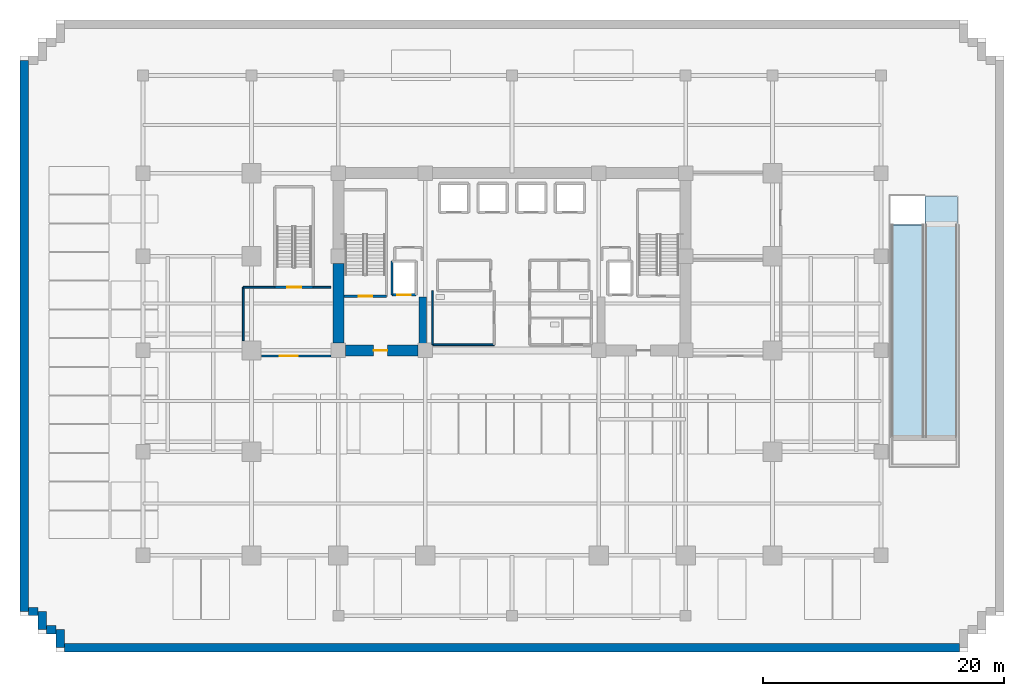
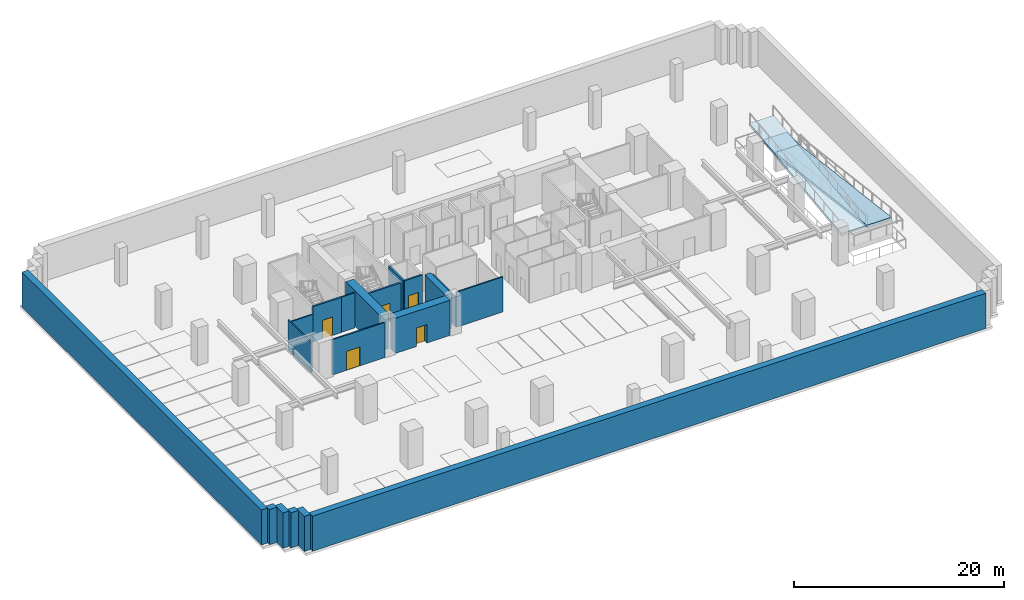
# One storey, part 3 of 14: 19 walls, 5 doors, 3 slabs, 5 openings.
"""IFC4 building model written with IfcOpenShell, lengths in metres."""

from ifc_helpers import new_model, si_unit, direction, frame, frame_2d, origin, place, context, subcontext, project, spatial, polyline, rectangle, outline, extrude, source, transform, mapped, material, layer, layer_set, type_object, element, fill, save


model = new_model("IFC4")

# Units and contexts
model_context = context("Model", 3, precision=1e-05, world=origin(), true_north=direction((0.0, 1.0)))
body_context = subcontext(model_context, "Body", "Model", "MODEL_VIEW")
ifc_project = project(units=[si_unit("LENGTHUNIT", "METRE"), si_unit("AREAUNIT", "SQUARE_METRE"), si_unit("VOLUMEUNIT", "CUBIC_METRE"), si_unit("PLANEANGLEUNIT", "RADIAN"), si_unit("MASSUNIT", "GRAM", prefix="KILO")], contexts=[model_context])

# Site, building, storey
site_placement = place(None, origin())
site = spatial("IfcSite", under=ifc_project, at=site_placement, CompositionType="ELEMENT")
building_placement = place(site_placement, origin())
building = spatial("IfcBuilding", under=site, at=building_placement, Name="Zarnakvel Exchange Tower", CompositionType="ELEMENT")
storey_placement = place(building_placement, frame((0.0, 0.0, -4.39990234375)))
storey = spatial("IfcBuildingStorey", under=building, at=storey_placement, Name="B01", CompositionType="ELEMENT", Elevation=-4.39990234375)

# Slabs
ifc_material_1 = material(Name="Concrete C40/50", Category="concrete")
ifc_layer_1 = layer(ifc_material_1, 0.199951171875)
ifc_layer_set_1 = layer_set([ifc_layer_1], Name="Concrete C40/50")
slab_type_1 = type_object("IfcSlabType", Name="LDG-01", PredefinedType="LANDING", material=ifc_layer_set_1)
slab_1_placement = place(storey_placement, frame((0.0, 0.0, -0.2001953125)))
element("IfcSlab", 1, at=slab_1_placement, inside=storey, type_object=slab_type_1, Name="B01 Car Park Vehicular Ramp R-01 Entry Landing", PredefinedType="LANDING", context=body_context, shape_type="SweptSolid", body=[
    extrude(outline(polyline([(34.25, 9.199951171875), (36.949951171875, 9.199951171875), (36.949951171875, 11.580078125), (34.25, 11.580078125), (34.25, 9.199951171875)])), origin(), (0.0, 0.0, 1.0), 0.2001953125),
])
ifc_layer_2 = layer(ifc_material_1, 0.300048828125)
ifc_layer_set_2 = layer_set([ifc_layer_2], Name="Concrete C40/50")
slab_type_2 = type_object("IfcSlabType", Name="RSL-01", PredefinedType="BASESLAB", material=ifc_layer_set_2)
slab_2_placement = place(storey_placement, frame((34.25, 9.199951171875, 0.0), z_axis=(0.0, 0.124033040481, 0.992278088476), x_axis=(1.0, 0.0, 0.0)))
element("IfcSlab", 2, at=slab_2_placement, inside=storey, type_object=slab_type_2, Name="B01 Car Park Vehicular Ramp R-01 Slab 1", PredefinedType="BASESLAB", context=body_context, shape_type="SweptSolid", body=[
    extrude(outline(polyline([(0.0, 0.0), (2.699951171875, 0.0), (2.699951171875, -17.73681640625), (0.0, -17.73681640625), (0.0, 0.0)])), origin(), (0.0, 0.0, -1.0), 0.300048828125),
])
slab_3_placement = place(storey_placement, frame((31.449951171875, -8.39990234375, 2.199951171875), z_axis=(0.0, -0.124033040481, 0.992278088476), x_axis=(1.0, 0.0, 0.0)))
element("IfcSlab", 3, at=slab_3_placement, inside=storey, type_object=slab_type_2, Name="B01 Car Park Vehicular Ramp R-01 Grade Arrival Slab", PredefinedType="BASESLAB", context=body_context, shape_type="SweptSolid", body=[
    extrude(outline(polyline([(0.0, 0.0), (2.699951171875, 0.0), (2.699951171875, 17.73681640625), (0.0, 17.73681640625), (0.0, 0.0)])), origin(), (0.0, 0.0, -1.0), 0.300048828125),
])

# Wall
ifc_material_2 = material(Name="Concrete C80/95", Category="concrete")
ifc_layer_3 = layer(ifc_material_2, 0.89990234375)
ifc_layer_set_3 = layer_set([ifc_layer_3], Name="Concrete C80/95")
wall_type_1 = type_object("IfcWallType", Name="CW-C1", PredefinedType="SHEAR", material=ifc_layer_set_3)
wall_1_placement = place(storey_placement, frame((-14.39990234375, -0.60009765625, 0.0), z_axis=(0.0, 0.0, 1.0), x_axis=(0.0, 1.0, 0.0)))
element("IfcWall", 4, at=wall_1_placement, inside=storey, type_object=wall_type_1, Name="B01 Rear Core Shear Wall W1 (CW-C1)", PredefinedType="SHEAR", context=body_context, shape_type="SweptSolid", body=[
    extrude(rectangle(XDim=6.60009765625, YDim=0.89990234375, at=frame_2d((3.300048828125, 0.0))), origin(), (0.0, 0.0, 1.0), 4.099853515625),
])

# Wall, opening, door
wall_2_placement = place(storey_placement, frame((-7.800048828125, -1.199951171875, 0.0), z_axis=(0.0, 0.0, 1.0), x_axis=(-1.0, 0.0, 0.0)))
wall_2 = element("IfcWall", 5, at=wall_2_placement, inside=storey, type_object=wall_type_1, Name="B01 Rear Core Shear Wall SW (CW-C1)", PredefinedType="SHEAR", context=body_context, shape_type="SweptSolid", body=[
    extrude(rectangle(XDim=6.0, YDim=0.89990234375, at=frame_2d((3.0, 0.0))), origin(), (0.0, 0.0, 1.0), 4.099853515625),
])
opening_1_placement = place(wall_2_placement, frame((2.52490234375, 0.0, 0.0)))
opening_1 = element("IfcOpeningElement", 6, at=opening_1_placement, cuts=wall_2, Name="Opening D-B01-03", PredefinedType="OPENING", context=body_context, shape_type="SweptSolid", body=[
    extrude(rectangle(XDim=1.14990234375, YDim=2.14990234375, at=frame_2d((0.574951171875, 1.074951171875))), frame((0.0, 0.4599609375, 0.0), z_axis=(0.0, -1.0, 0.0), x_axis=(1.0, 0.0, 0.0)), (0.0, 0.0, 1.0), 0.919921875),
])
ifc_material_3 = material(Name="Painted Galvanised Steel S355", Category="steel")
door_type_1 = type_object("IfcDoorType", Name="DT-04", OperationType="NOTDEFINED", PredefinedType="DOOR", material=ifc_material_3)
shared_shape_1 = source(origin(), body_context, "Body", "SweptSolid", [
    extrude(rectangle(XDim=1.14990234375, YDim=2.14990234375, at=frame_2d((0.574951171875, 1.074951171875))), frame((0.0, 0.02490234375, 0.0), z_axis=(0.0, -1.0, 0.0), x_axis=(1.0, 0.0, 0.0)), (0.0, 0.0, 1.0), 0.050048828125),
])
door_1_placement = place(opening_1_placement, origin())
door_1 = element("IfcDoor", 7, at=door_1_placement, inside=storey, type_object=door_type_1, Name="B01 Firefighting Lobby West Door D-B01-03", OperationType="SINGLE_SWING_RIGHT", OverallHeight=2.14990234375, OverallWidth=1.14990234375, PredefinedType="DOOR", context=body_context, shape_type="MappedRepresentation", body=[
    mapped(shared_shape_1, transform((0.0, 0.0, 0.0), x_axis=(1.0, 0.0, 0.0), y_axis=(0.0, 1.0, 0.0), z_axis=(0.0, 0.0, 1.0), scale=1.0)),
])
fill(opening_1, door_1)

# Wall
ifc_layer_4 = layer(ifc_material_2, 0.64990234375)
ifc_layer_set_4 = layer_set([ifc_layer_4], Name="Concrete C80/95")
wall_type_2 = type_object("IfcWallType", Name="CW-C2", PredefinedType="SHEAR", material=ifc_layer_set_4)
wall_3_placement = place(storey_placement, frame((-7.39990234375, -0.75, 0.0), z_axis=(0.0, 0.0, 1.0), x_axis=(0.0, 1.0, 0.0)))
element("IfcWall", 8, at=wall_3_placement, inside=storey, type_object=wall_type_2, Name="B01 Rear Core Shear Wall IW (CW-C2)", PredefinedType="SHEAR", context=body_context, shape_type="SweptSolid", body=[
    extrude(rectangle(XDim=4.0, YDim=0.64990234375, at=frame_2d((2.0, 0.0))), origin(), (0.0, 0.0, 1.0), 4.099853515625),
])

# Wall, opening, door
ifc_material_4 = material(Name="Fire-Rated Gypsum Stud Partition", Category="gypsum")
ifc_layer_5 = layer(ifc_material_4, 0.14990234375)
ifc_layer_set_5 = layer_set([ifc_layer_5], Name="Fire-Rated Gypsum Stud Partition")
wall_type_3 = type_object("IfcWallType", Name="PT-01", PredefinedType="PARTITIONING", material=ifc_layer_set_5)
wall_4_placement = place(storey_placement, frame((-15.02001953125, -1.669921875, 0.0), z_axis=(0.0, 0.0, 1.0), x_axis=(-1.0, 0.0, 0.0)))
wall_4 = element("IfcWall", 9, at=wall_4_placement, inside=storey, type_object=wall_type_3, Name="B01 Partition Wall PWALL-B01-039 (PT-01)", PredefinedType="PARTITIONING", context=body_context, shape_type="SweptSolid", body=[
    extrude(rectangle(XDim=5.760009765625, YDim=0.14990234375, at=frame_2d((2.8798828125, 0.0))), origin(), (0.0, 0.0, 1.0), 4.099853515625),
])
opening_2_placement = place(wall_4_placement, frame((2.72998046875, 0.0, 0.0)))
opening_2 = element("IfcOpeningElement", 10, at=opening_2_placement, cuts=wall_4, Name="Opening D-B01-13", PredefinedType="OPENING", context=body_context, shape_type="SweptSolid", body=[
    extrude(rectangle(XDim=1.5, YDim=2.199951171875, at=frame_2d((0.75, 1.10009765625))), frame((0.0, 0.0849609375, 0.0), z_axis=(0.0, -1.0, 0.0), x_axis=(1.0, 0.0, 0.0)), (0.0, 0.0, 1.0), 0.169921875),
])
ifc_material_5 = material(Name="Timber Acoustic Veneer", Category="wood")
door_type_2 = type_object("IfcDoorType", Name="DT-03", OperationType="NOTDEFINED", PredefinedType="DOOR", material=ifc_material_5)
shared_shape_2 = source(origin(), body_context, "Body", "SweptSolid", [
    extrude(rectangle(XDim=1.5, YDim=2.199951171875, at=frame_2d((0.75, 1.10009765625))), frame((0.0, 0.02490234375, 0.0), z_axis=(0.0, -1.0, 0.0), x_axis=(1.0, 0.0, 0.0)), (0.0, 0.0, 1.0), 0.050048828125),
])
door_2_placement = place(opening_2_placement, origin())
door_2 = element("IfcDoor", 11, at=door_2_placement, inside=storey, type_object=door_type_2, Name="B01 Service Loading Bay Door D-B01-13", OperationType="DOUBLE_DOOR_SINGLE_SWING", OverallHeight=2.199951171875, OverallWidth=1.5, PredefinedType="DOOR", context=body_context, shape_type="MappedRepresentation", body=[
    mapped(shared_shape_2, transform((0.0, 0.0, 0.0), x_axis=(1.0, 0.0, 0.0), y_axis=(0.0, 1.0, 0.0), z_axis=(0.0, 0.0, 1.0), scale=1.0)),
])
fill(opening_2, door_2)

# Walls
wall_5_placement = place(storey_placement, frame((-22.280029296875, 4.030029296875, 0.0), z_axis=(0.0, 0.0, 1.0), x_axis=(1.0, 0.0, 0.0)))
element("IfcWall", 12, at=wall_5_placement, inside=storey, type_object=wall_type_3, Name="B01 Partition Wall PWALL-B01-040 (PT-01)", PredefinedType="PARTITIONING", context=body_context, shape_type="SweptSolid", body=[
    extrude(rectangle(XDim=2.6201171875, YDim=0.14990234375, at=frame_2d((1.31005859375, 0.0))), origin(), (0.0, 0.0, 1.0), 3.18994140625),
])
wall_6_placement = place(storey_placement, frame((-16.489990234375, 4.030029296875, 0.0), z_axis=(0.0, 0.0, 1.0), x_axis=(1.0, 0.0, 0.0)))
element("IfcWall", 13, at=wall_6_placement, inside=storey, type_object=wall_type_3, Name="B01 Partition Wall PWALL-B01-041 (PT-01)", PredefinedType="PARTITIONING", context=body_context, shape_type="SweptSolid", body=[
    extrude(rectangle(XDim=1.469970703125, YDim=0.14990234375, at=frame_2d((0.73486328125, 0.0))), origin(), (0.0, 0.0, 1.0), 4.099853515625),
])
wall_7_placement = place(storey_placement, frame((-22.280029296875, -0.3798828125, 0.0), z_axis=(0.0, 0.0, 1.0), x_axis=(0.0, 1.0, 0.0)))
element("IfcWall", 14, at=wall_7_placement, inside=storey, type_object=wall_type_3, Name="B01 Partition Wall PWALL-B01-042 (PT-01)", PredefinedType="PARTITIONING", context=body_context, shape_type="SweptSolid", body=[
    extrude(rectangle(XDim=4.409912109375, YDim=0.14990234375, at=frame_2d((2.205078125, 0.0))), origin(), (0.0, 0.0, 1.0), 3.47265625),
])
ifc_material_6 = material(Name="Moisture-Resistant Tile-Faced Partition", Category="gypsum")
ifc_layer_6 = layer(ifc_material_6, 0.135009765625)
ifc_layer_set_6 = layer_set([ifc_layer_6], Name="Moisture-Resistant Tile-Faced Partition")
wall_type_4 = type_object("IfcWallType", Name="PT-03", PredefinedType="PARTITIONING", material=ifc_layer_set_6)
wall_8_placement = place(storey_placement, frame((-1.469970703125, -0.72998046875, 0.0), z_axis=(0.0, 0.0, 1.0), x_axis=(-1.0, 0.0, 0.0)))
element("IfcWall", 15, at=wall_8_placement, inside=storey, type_object=wall_type_4, Name="B01 Partition Wall PWALL-B01-024 (PT-03)", PredefinedType="PARTITIONING", context=body_context, shape_type="SweptSolid", body=[
    extrude(rectangle(XDim=5.110107421875, YDim=0.135009765625, at=frame_2d((2.55517578125, 0.0))), origin(), (0.0, 0.0, 1.0), 4.099853515625),
])
wall_9_placement = place(storey_placement, frame((-6.580078125, -0.72998046875, 0.0), z_axis=(0.0, 0.0, 1.0), x_axis=(0.0, 1.0, 0.0)))
element("IfcWall", 16, at=wall_9_placement, inside=storey, type_object=wall_type_4, Name="B01 Partition Wall PWALL-B01-025 (PT-03)", PredefinedType="PARTITIONING", context=body_context, shape_type="SweptSolid", body=[
    extrude(rectangle(XDim=4.489990234375, YDim=0.135009765625, at=frame_2d((2.2451171875, 0.0))), origin(), (0.0, 0.0, 1.0), 3.47265625),
])
ifc_material_7 = material(Name="Concrete C50/60", Category="concrete")
ifc_layer_7 = layer(ifc_material_7, 0.699951171875)
ifc_layer_set_7 = layer_set([ifc_layer_7], Name="Concrete C50/60")
wall_type_5 = type_object("IfcWallType", Name="RW-02", PredefinedType="USERDEFINED", material=ifc_layer_set_7)
wall_10_placement = place(storey_placement, frame((-40.449951171875, -22.85009765625, 0.0), z_axis=(0.0, 0.0, 1.0), x_axis=(0.0, 1.0, 0.0)))
element("IfcWall", 17, at=wall_10_placement, inside=storey, type_object=wall_type_5, Name="B01 Perimeter Retaining Wall RW-02 #1", ObjectType="RETAININGWALL", PredefinedType="USERDEFINED", context=body_context, shape_type="SweptSolid", body=[
    extrude(rectangle(XDim=45.7001953125, YDim=0.699951171875, at=frame_2d((22.85009765625, 0.0))), origin(), (0.0, 0.0, 1.0), 4.099853515625),
])
wall_11_placement = place(storey_placement, frame((37.10009765625, -25.85009765625, 0.0), z_axis=(0.0, 0.0, 1.0), x_axis=(-1.0, 0.0, 0.0)))
element("IfcWall", 18, at=wall_11_placement, inside=storey, type_object=wall_type_5, Name="B01 Perimeter Retaining Wall RW-02 #16", ObjectType="RETAININGWALL", PredefinedType="USERDEFINED", context=body_context, shape_type="SweptSolid", body=[
    extrude(rectangle(XDim=74.2001953125, YDim=0.699951171875, at=frame_2d((37.10009765625, 0.0))), origin(), (0.0, 0.0, 1.0), 4.099853515625),
])
wall_12_placement = place(storey_placement, frame((-37.449951171875, -25.85009765625, 0.0), z_axis=(0.0, 0.0, 1.0), x_axis=(0.0, 1.0, 0.0)))
element("IfcWall", 19, at=wall_12_placement, inside=storey, type_object=wall_type_5, Name="B01 Perimeter Retaining Wall RW-02 #17", ObjectType="RETAININGWALL", PredefinedType="USERDEFINED", context=body_context, shape_type="SweptSolid", body=[
    extrude(rectangle(XDim=1.5, YDim=0.699951171875, at=frame_2d((0.75, 0.0))), origin(), (0.0, 0.0, 1.0), 4.099853515625),
])
wall_13_placement = place(storey_placement, frame((-37.800048828125, -24.35009765625, 0.0), z_axis=(0.0, 0.0, 1.0), x_axis=(-1.0, 0.0, 0.0)))
element("IfcWall", 20, at=wall_13_placement, inside=storey, type_object=wall_type_5, Name="B01 Perimeter Retaining Wall RW-02 #18", ObjectType="RETAININGWALL", PredefinedType="USERDEFINED", context=body_context, shape_type="SweptSolid", body=[
    extrude(rectangle(XDim=0.800048828125, YDim=0.699951171875, at=frame_2d((0.39990234375, 0.0))), origin(), (0.0, 0.0, 1.0), 4.099853515625),
])
wall_14_placement = place(storey_placement, frame((-38.949951171875, -24.35009765625, 0.0), z_axis=(0.0, 0.0, 1.0), x_axis=(0.0, 1.0, 0.0)))
element("IfcWall", 21, at=wall_14_placement, inside=storey, type_object=wall_type_5, Name="B01 Perimeter Retaining Wall RW-02 #19", ObjectType="RETAININGWALL", PredefinedType="USERDEFINED", context=body_context, shape_type="SweptSolid", body=[
    extrude(rectangle(XDim=1.5, YDim=0.699951171875, at=frame_2d((0.75, 0.0))), origin(), (0.0, 0.0, 1.0), 4.099853515625),
])
wall_15_placement = place(storey_placement, frame((-39.300048828125, -22.85009765625, 0.0), z_axis=(0.0, 0.0, 1.0), x_axis=(-1.0, 0.0, 0.0)))
element("IfcWall", 22, at=wall_15_placement, inside=storey, type_object=wall_type_5, Name="B01 Perimeter Retaining Wall RW-02 #20", ObjectType="RETAININGWALL", PredefinedType="USERDEFINED", context=body_context, shape_type="SweptSolid", body=[
    extrude(rectangle(XDim=0.800048828125, YDim=0.699951171875, at=frame_2d((0.39990234375, 0.0))), origin(), (0.0, 0.0, 1.0), 4.099853515625),
])

# Wall, opening, door
ifc_layer_8 = layer(ifc_material_1, 0.199951171875)
ifc_layer_set_8 = layer_set([ifc_layer_8], Name="Concrete C40/50")
wall_type_6 = type_object("IfcWallType", Name="SW-01", PredefinedType="SOLIDWALL", material=ifc_layer_set_8)
wall_16_placement = place(storey_placement, frame((-7.949951171875, 3.39990234375, 0.0), z_axis=(0.0, 0.0, 1.0), x_axis=(-1.0, 0.0, 0.0)))
wall_16 = element("IfcWall", 23, at=wall_16_placement, inside=storey, type_object=wall_type_6, Name="B01 FL-01 Hoistway Wall South", PredefinedType="SOLIDWALL", context=body_context, shape_type="SweptSolid", body=[
    extrude(rectangle(XDim=2.0, YDim=0.199951171875, at=frame_2d((1.0, 0.0))), origin(), (0.0, 0.0, 1.0), 4.099853515625),
])
opening_3_placement = place(wall_16_placement, frame((0.449951171875, 0.0, 0.0)))
opening_3 = element("IfcOpeningElement", 24, at=opening_3_placement, cuts=wall_16, Name="Opening LD-FL-01-B01", PredefinedType="OPENING", context=body_context, shape_type="SweptSolid", body=[
    extrude(rectangle(XDim=1.10009765625, YDim=2.199951171875, at=frame_2d((0.550048828125, 1.10009765625))), frame((0.0, 0.10986328125, 0.0), z_axis=(0.0, -1.0, 0.0), x_axis=(1.0, 0.0, 0.0)), (0.0, 0.0, 1.0), 0.219970703125),
])
ifc_material_8 = material(Name="Brushed Stainless Steel", Category="steel")
door_type_3 = type_object("IfcDoorType", Name="LDT-01", OperationType="NOTDEFINED", PredefinedType="DOOR", material=ifc_material_8)
shared_shape_3 = source(origin(), body_context, "Body", "SweptSolid", [
    extrude(rectangle(XDim=1.10009765625, YDim=2.199951171875, at=frame_2d((0.550048828125, 1.10009765625))), frame((0.0, 0.02490234375, 0.0), z_axis=(0.0, -1.0, 0.0), x_axis=(1.0, 0.0, 0.0)), (0.0, 0.0, 1.0), 0.050048828125),
])
door_3_placement = place(opening_3_placement, origin())
door_3 = element("IfcDoor", 25, at=door_3_placement, inside=storey, type_object=door_type_3, Name="B01 FL-01 Lift Landing Door LD-FL-01-B01", OperationType="DOUBLE_DOOR_SLIDING", OverallHeight=2.199951171875, OverallWidth=1.10009765625, PredefinedType="DOOR", context=body_context, shape_type="MappedRepresentation", body=[
    mapped(shared_shape_3, transform((0.0, 0.0, 0.0), x_axis=(1.0, 0.0, 0.0), y_axis=(0.0, 1.0, 0.0), z_axis=(0.0, 0.0, 1.0), scale=1.0)),
])
fill(opening_3, door_3)

# Wall
wall_17_placement = place(storey_placement, frame((-9.949951171875, 3.39990234375, 0.0), z_axis=(0.0, 0.0, 1.0), x_axis=(0.0, 1.0, 0.0)))
element("IfcWall", 26, at=wall_17_placement, inside=storey, type_object=wall_type_6, Name="B01 FL-01 Hoistway Wall West", PredefinedType="SOLIDWALL", context=body_context, shape_type="SweptSolid", body=[
    extrude(rectangle(XDim=2.800048828125, YDim=0.199951171875, at=frame_2d((1.39990234375, 0.0))), origin(), (0.0, 0.0, 1.0), 4.099853515625),
])

# Wall, opening, door
ifc_layer_9 = layer(ifc_material_1, 0.199951171875)
ifc_layer_set_9 = layer_set([ifc_layer_9], Name="Concrete C40/50")
wall_type_7 = type_object("IfcWallType", Name="SW-02", PredefinedType="SOLIDWALL", material=ifc_layer_set_9)
wall_18_placement = place(storey_placement, frame((-10.409912109375, 3.2900390625, 0.0), z_axis=(0.0, 0.0, 1.0), x_axis=(-1.0, 0.0, 0.0)))
wall_18 = element("IfcWall", 27, at=wall_18_placement, inside=storey, type_object=wall_type_7, Name="B01 Stairwell Core Wall PWALL-B01-001 (SW-02)", PredefinedType="SOLIDWALL", context=body_context, shape_type="SweptSolid", body=[
    extrude(rectangle(XDim=3.52001953125, YDim=0.199951171875, at=frame_2d((1.760009765625, 0.0))), origin(), (0.0, 0.0, 1.0), 4.099853515625),
])
opening_4_placement = place(wall_18_placement, frame((1.1650390625, 0.0, 0.0)))
opening_4 = element("IfcOpeningElement", 28, at=opening_4_placement, cuts=wall_18, Name="Opening D-B01-01", PredefinedType="OPENING", context=body_context, shape_type="SweptSolid", body=[
    extrude(rectangle(XDim=1.14990234375, YDim=2.14990234375, at=frame_2d((0.574951171875, 1.074951171875))), frame((0.0, 0.10986328125, 0.0), z_axis=(0.0, -1.0, 0.0), x_axis=(1.0, 0.0, 0.0)), (0.0, 0.0, 1.0), 0.219970703125),
])
door_4_placement = place(opening_4_placement, origin())
door_4 = element("IfcDoor", 29, at=door_4_placement, inside=storey, type_object=door_type_1, Name="B01 Stairwell ST-01 Door D-B01-01", OperationType="SINGLE_SWING_RIGHT", OverallHeight=2.14990234375, OverallWidth=1.14990234375, PredefinedType="DOOR", context=body_context, shape_type="MappedRepresentation", body=[
    mapped(shared_shape_1, transform((0.0, 0.0, 0.0), x_axis=(1.0, 0.0, 0.0), y_axis=(0.0, 1.0, 0.0), z_axis=(0.0, 0.0, 1.0), scale=1.0)),
])
fill(opening_4, door_4)

wall_19_placement = place(storey_placement, frame((-16.489990234375, 4.0400390625, 0.0), z_axis=(0.0, 0.0, 1.0), x_axis=(-1.0, 0.0, 0.0)))
wall_19 = element("IfcWall", 30, at=wall_19_placement, inside=storey, type_object=wall_type_7, Name="B01 Stairwell Core Wall PWALL-B01-035 (SW-02)", PredefinedType="SOLIDWALL", context=body_context, shape_type="SweptSolid", body=[
    extrude(rectangle(XDim=3.169921875, YDim=0.199951171875, at=frame_2d((1.5849609375, 0.0))), origin(), (0.0, 0.0, 1.0), 4.099853515625),
])
opening_5_placement = place(wall_19_placement, frame((0.985107421875, 0.0, 0.0)))
opening_5 = element("IfcOpeningElement", 31, at=opening_5_placement, cuts=wall_19, Name="Opening D-B01-12", PredefinedType="OPENING", context=body_context, shape_type="SweptSolid", body=[
    extrude(rectangle(XDim=1.14990234375, YDim=2.14990234375, at=frame_2d((0.574951171875, 1.074951171875))), frame((0.0, 0.10986328125, 0.0), z_axis=(0.0, -1.0, 0.0), x_axis=(1.0, 0.0, 0.0)), (0.0, 0.0, 1.0), 0.219970703125),
])
door_5_placement = place(opening_5_placement, origin())
door_5 = element("IfcDoor", 32, at=door_5_placement, inside=storey, type_object=door_type_1, Name="B01 Stairwell ST-05 Door D-B01-12", OperationType="SINGLE_SWING_LEFT", OverallHeight=2.14990234375, OverallWidth=1.14990234375, PredefinedType="DOOR", context=body_context, shape_type="MappedRepresentation", body=[
    mapped(shared_shape_1, transform((0.0, 0.0, 0.0), x_axis=(1.0, 0.0, 0.0), y_axis=(0.0, 1.0, 0.0), z_axis=(0.0, 0.0, 1.0), scale=1.0)),
])
fill(opening_5, door_5)

save(model, "model.ifc")
